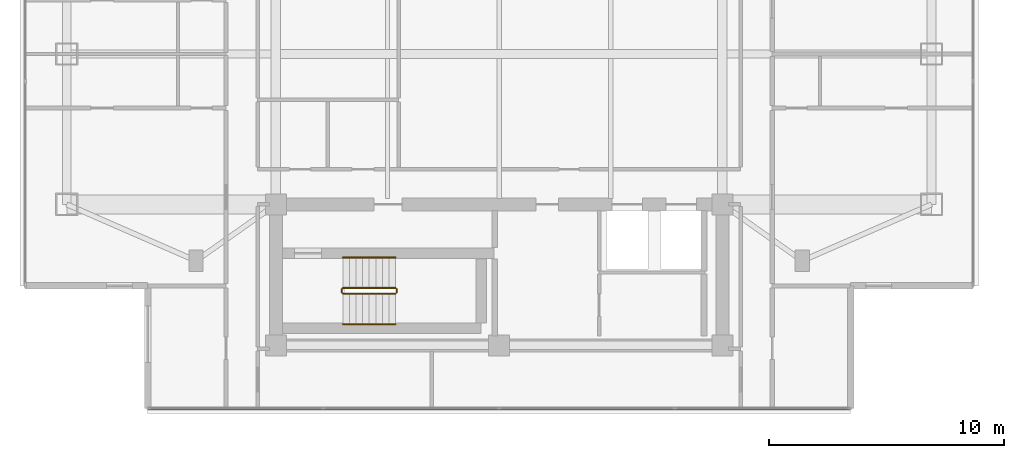
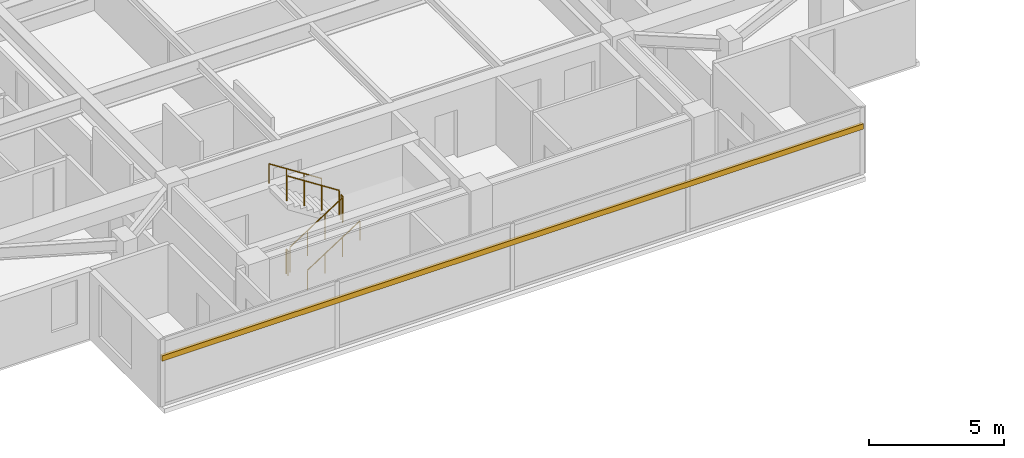
# One storey, part 19 of 24: 6 railings, 1 shading device.
"""IFC4 building model written with IfcOpenShell, lengths in metres."""

from ifc_helpers import new_model, si_unit, direction, frame, origin, origin_2d, place, context, subcontext, project, spatial, rectangle, circle, extrude, material, material_profile, profile_set, type_object, element, save


model = new_model("IFC4")

# Units and contexts
model_context = context("Model", 3, precision=1e-05, world=origin(), true_north=direction((0.0, 1.0)))
body_context = subcontext(model_context, "Body", "Model", "MODEL_VIEW")
ifc_project = project(units=[si_unit("LENGTHUNIT", "METRE"), si_unit("AREAUNIT", "SQUARE_METRE"), si_unit("VOLUMEUNIT", "CUBIC_METRE"), si_unit("PLANEANGLEUNIT", "RADIAN"), si_unit("MASSUNIT", "GRAM", prefix="KILO")], contexts=[model_context])

# Site, building, storey
site_placement = place(None, origin())
site = spatial("IfcSite", under=ifc_project, at=site_placement, CompositionType="ELEMENT")
building_placement = place(site_placement, origin())
building = spatial("IfcBuilding", under=site, at=building_placement, Name="Mirazonda Arch Towers", CompositionType="ELEMENT")
storey_placement = place(building_placement, frame((0.0, 0.0, 193.39990234375)))
storey = spatial("IfcBuildingStorey", under=building, at=storey_placement, Name="L55", CompositionType="ELEMENT", Elevation=193.39990234375)

# Shading device
ifc_material_1 = material(Name="Kiln-Fired Architectural Terracotta", Category="masonry")
ifc_material_profile = material_profile(ifc_material_1, rectangle(XDim=0.1201171875, YDim=0.239990234375, at=origin_2d()), Name="TERRA-BAG-120x240")
ifc_profile_set = profile_set([ifc_material_profile], Name="Kiln-Fired Architectural Terracotta")
shading_device_type = type_object("IfcShadingDeviceType", Name="BAGUETTE-1", PredefinedType="USERDEFINED", material=ifc_profile_set)
shading_device_placement = place(storey_placement, frame((35.455078125, 9.716064453125, 2.181640625), z_axis=(-1.0, 0.0, 0.0), x_axis=(0.0, -1.0, 0.0)))
element("IfcShadingDevice", 1, at=shading_device_placement, inside=storey, type_object=shading_device_type, Name="L55 Glazed Terracotta Sun-Screen Baguette CW-L55-T1-S", ObjectType="BAGUETTE", PredefinedType="USERDEFINED", context=body_context, shape_type="SweptSolid", body=[
    extrude(rectangle(XDim=0.1201171875, YDim=0.239990234375, at=origin_2d()), origin(), (0.0, 0.0, 1.0), 29.91015625),
])

# Railings
ifc_material_2 = material(Name="Architectural Brushed Steel S355", Category="steel")
railing_type_1 = type_object("IfcRailingType", Name="GUARD-STAIR-1120", PredefinedType="GUARDRAIL", material=ifc_material_2)
railing_1_placement = place(storey_placement, frame((13.85009765625, 14.60009765625, 0.1806640625)))
element("IfcRailing", 2, at=railing_1_placement, inside=storey, type_object=railing_type_1, Name="L55 ST-T1S stair guard 1", PredefinedType="GUARDRAIL", context=body_context, shape_type="SweptSolid", body=[
    extrude(circle(Radius=0.02392578125, at=origin_2d()), frame((0.0, 0.0, 1.1259765625), z_axis=(0.840436612492, 0.0, 0.541909863706), x_axis=(0.0, 1.0, 0.0)), (0.0, 0.0, 1.0), 2.665283203125),
    extrude(circle(Radius=0.02099609375, at=origin_2d()), origin(), (0.0, 0.0, 1.0), 1.101806640625),
    extrude(circle(Radius=0.02099609375, at=origin_2d()), frame((0.74658203125, 0.0, 0.4814453125)), (0.0, 0.0, 1.0), 1.101806640625),
    extrude(circle(Radius=0.02099609375, at=origin_2d()), frame((1.493408203125, 0.0, 0.962890625)), (0.0, 0.0, 1.0), 1.101806640625),
    extrude(circle(Radius=0.02099609375, at=origin_2d()), frame((2.239990234375, 0.0, 1.4443359375)), (0.0, 0.0, 1.0), 1.101806640625),
])
railing_2_placement = place(storey_placement, frame((16.139892578125, 14.64990234375, 1.625)))
element("IfcRailing", 3, at=railing_2_placement, inside=storey, type_object=railing_type_1, Name="L55 ST-T1S stair guard 2", PredefinedType="GUARDRAIL", context=body_context, shape_type="SweptSolid", body=[
    extrude(circle(Radius=0.02392578125, at=origin_2d()), frame((0.0, 0.0, 1.1259765625), z_axis=(0.0, 1.0, 0.0), x_axis=(-1.0, 0.0, 0.0)), (0.0, 0.0, 1.0), 0.14013671875),
    extrude(circle(Radius=0.02099609375, at=origin_2d()), origin(), (0.0, 0.0, 1.0), 1.101806640625),
    extrude(circle(Radius=0.02099609375, at=origin_2d()), frame((0.0, 0.14013671875, 0.0)), (0.0, 0.0, 1.0), 1.101806640625),
])
railing_3_placement = place(storey_placement, frame((16.090087890625, 14.840087890625, 1.8056640625)))
element("IfcRailing", 4, at=railing_3_placement, inside=storey, type_object=railing_type_1, Name="L55 ST-T1S stair guard 3", PredefinedType="GUARDRAIL", context=body_context, shape_type="SweptSolid", body=[
    extrude(circle(Radius=0.02392578125, at=origin_2d()), frame((0.0, 0.0, 1.1259765625), z_axis=(-0.840436612492, 0.0, 0.541909863706), x_axis=(0.0, -1.0, 0.0)), (0.0, 0.0, 1.0), 2.665283203125),
    extrude(circle(Radius=0.02099609375, at=origin_2d()), origin(), (0.0, 0.0, 1.0), 1.101806640625),
    extrude(circle(Radius=0.02099609375, at=origin_2d()), frame((-0.74658203125, 0.0, 0.4814453125)), (0.0, 0.0, 1.0), 1.101806640625),
    extrude(circle(Radius=0.02099609375, at=origin_2d()), frame((-1.493408203125, 0.0, 0.962890625)), (0.0, 0.0, 1.0), 1.101806640625),
    extrude(circle(Radius=0.02099609375, at=origin_2d()), frame((-2.239990234375, 0.0, 1.4443359375)), (0.0, 0.0, 1.0), 1.101806640625),
])
railing_4_placement = place(storey_placement, frame((13.800048828125, 14.64990234375, 0.0)))
element("IfcRailing", 5, at=railing_4_placement, inside=storey, type_object=railing_type_1, Name="L55 ST-T1S stair guard 4", PredefinedType="GUARDRAIL", context=body_context, shape_type="SweptSolid", body=[
    extrude(circle(Radius=0.02392578125, at=origin_2d()), frame((0.0, 0.0, 1.1259765625), z_axis=(0.0, 1.0, 0.0), x_axis=(-1.0, 0.0, 0.0)), (0.0, 0.0, 1.0), 0.14013671875),
    extrude(circle(Radius=0.02099609375, at=origin_2d()), origin(), (0.0, 0.0, 1.0), 1.101806640625),
    extrude(circle(Radius=0.02099609375, at=origin_2d()), frame((0.0, 0.14013671875, 0.0)), (0.0, 0.0, 1.0), 1.101806640625),
])
railing_type_2 = type_object("IfcRailingType", Name="HANDRAIL-915", PredefinedType="HANDRAIL", material=ifc_material_2)
railing_5_placement = place(storey_placement, frame((13.85009765625, 13.300048828125, 0.1806640625)))
element("IfcRailing", 6, at=railing_5_placement, inside=storey, type_object=railing_type_2, Name="L55 ST-T1S stair handrail 1", PredefinedType="HANDRAIL", context=body_context, shape_type="SweptSolid", body=[
    extrude(circle(Radius=0.02392578125, at=origin_2d()), frame((0.0, 0.0, 0.8759765625), z_axis=(0.840436612492, 0.0, 0.541909863706), x_axis=(0.0, 1.0, 0.0)), (0.0, 0.0, 1.0), 2.665283203125),
    extrude(circle(Radius=0.02099609375, at=origin_2d()), origin(), (0.0, 0.0, 1.0), 0.851806640625),
    extrude(circle(Radius=0.02099609375, at=origin_2d()), frame((0.74658203125, 0.0, 0.4814453125)), (0.0, 0.0, 1.0), 0.851806640625),
    extrude(circle(Radius=0.02099609375, at=origin_2d()), frame((1.493408203125, 0.0, 0.962890625)), (0.0, 0.0, 1.0), 0.851806640625),
    extrude(circle(Radius=0.02099609375, at=origin_2d()), frame((2.239990234375, 0.0, 1.4443359375)), (0.0, 0.0, 1.0), 0.851806640625),
])
railing_6_placement = place(storey_placement, frame((16.090087890625, 16.139892578125, 1.8056640625)))
element("IfcRailing", 7, at=railing_6_placement, inside=storey, type_object=railing_type_2, Name="L55 ST-T1S stair handrail 2", PredefinedType="HANDRAIL", context=body_context, shape_type="SweptSolid", body=[
    extrude(circle(Radius=0.02392578125, at=origin_2d()), frame((0.0, 0.0, 0.8759765625), z_axis=(-0.840436612492, 0.0, 0.541909863706), x_axis=(0.0, -1.0, 0.0)), (0.0, 0.0, 1.0), 2.665283203125),
    extrude(circle(Radius=0.02099609375, at=origin_2d()), origin(), (0.0, 0.0, 1.0), 0.851806640625),
    extrude(circle(Radius=0.02099609375, at=origin_2d()), frame((-0.74658203125, 0.0, 0.4814453125)), (0.0, 0.0, 1.0), 0.851806640625),
    extrude(circle(Radius=0.02099609375, at=origin_2d()), frame((-1.493408203125, 0.0, 0.962890625)), (0.0, 0.0, 1.0), 0.851806640625),
    extrude(circle(Radius=0.02099609375, at=origin_2d()), frame((-2.239990234375, 0.0, 1.4443359375)), (0.0, 0.0, 1.0), 0.851806640625),
])

save(model, "model.ifc")
